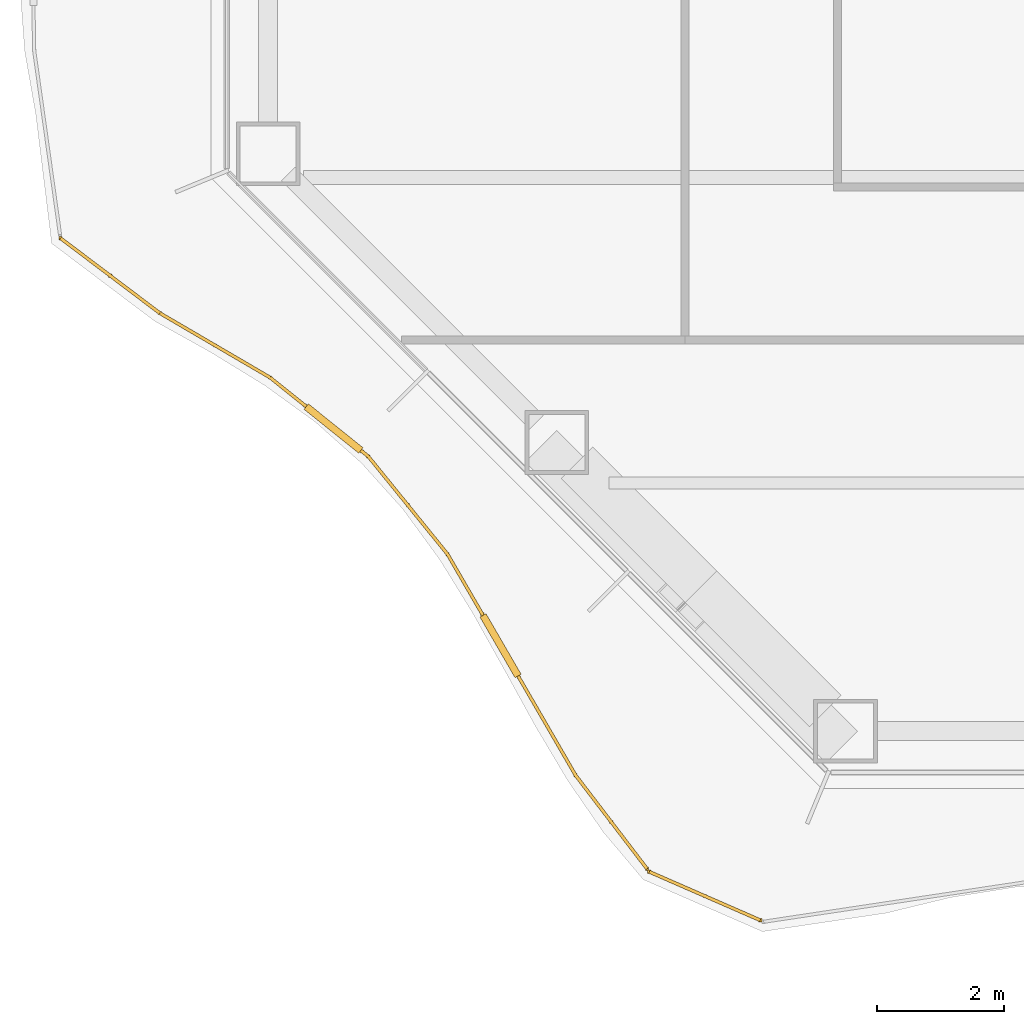
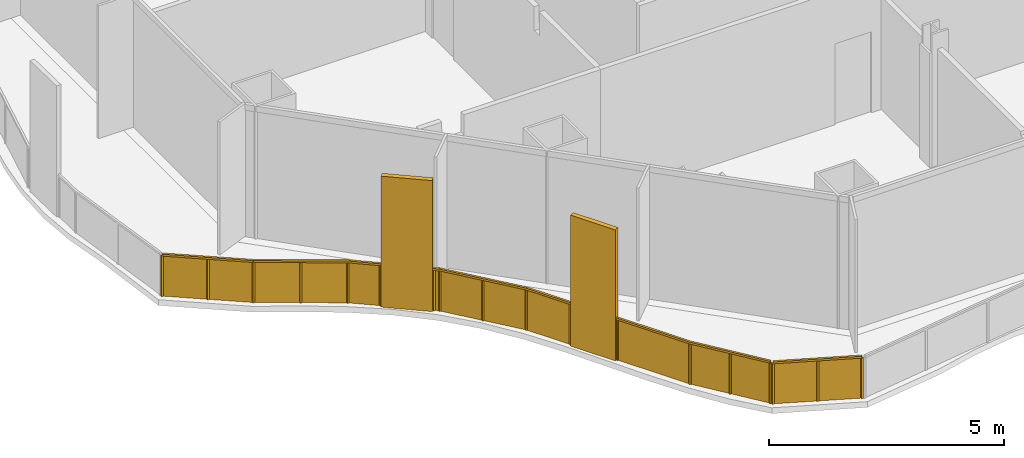
# One storey, part 15 of 21: 2 railings.
"""IFC4 building model written with IfcOpenShell, lengths in metres."""

from ifc_helpers import new_model, si_unit, direction, frame, origin, origin_2d, place, context, subcontext, project, spatial, polyline, rectangle, outline, extrude, material, type_object, element, save


model = new_model("IFC4")

# Units and contexts
model_context = context("Model", 3, precision=1e-05, world=origin(), true_north=direction((0.0, 1.0)))
body_context = subcontext(model_context, "Body", "Model", "MODEL_VIEW")
ifc_project = project(units=[si_unit("LENGTHUNIT", "METRE"), si_unit("AREAUNIT", "SQUARE_METRE"), si_unit("VOLUMEUNIT", "CUBIC_METRE"), si_unit("PLANEANGLEUNIT", "RADIAN"), si_unit("MASSUNIT", "GRAM", prefix="KILO")], contexts=[model_context])

# Site, building, storey
site_placement = place(None, origin())
site = spatial("IfcSite", under=ifc_project, at=site_placement, CompositionType="ELEMENT")
building_placement = place(site_placement, origin())
building = spatial("IfcBuilding", under=site, at=building_placement, Name="Cairn Pilgrim Tower", CompositionType="ELEMENT")
storey_placement = place(building_placement, frame((0.0, 0.0, 58.199951171875)))
storey = spatial("IfcBuildingStorey", under=building, at=storey_placement, Name="L12", CompositionType="ELEMENT", Elevation=58.199951171875)

# Railings
ifc_material_1 = material(Name="Bronze anodised aluminium rail and posts with laminated glass infill", Category="aluminium")
railing_type_1 = type_object("IfcRailingType", Name="BALCONY GUARD 1100", PredefinedType="GUARDRAIL", material=ifc_material_1)
railing_1_placement = place(storey_placement, frame((-21.90869140625, -25.310791015625, 0.0)))
element("IfcRailing", 1, at=railing_1_placement, inside=storey, type_object=railing_type_1, Name="Balcony guard BG-9", PredefinedType="GUARDRAIL", context=body_context, shape_type="SweptSolid", body=[
    extrude(rectangle(XDim=0.050048828125, YDim=0.050048828125, at=origin_2d()), frame((0.0, 0.0, 1.0751953125), z_axis=(0.916487156254, -0.400064110388, 0.0), x_axis=(0.400064110388, 0.916487156254, 0.0)), (0.0, 0.0, 1.0), 1.90087890625),
    extrude(rectangle(XDim=0.050048828125, YDim=0.050048828125, at=origin_2d()), origin(), (0.0, 0.0, 1.0), 1.050048828125),
    extrude(rectangle(XDim=0.050048828125, YDim=0.050048828125, at=origin_2d()), frame((0.87109375, -0.38037109375, 0.0)), (0.0, 0.0, 1.0), 1.050048828125),
    extrude(rectangle(XDim=0.050048828125, YDim=0.050048828125, at=origin_2d()), frame((1.7421875, -0.760498046875, 0.0)), (0.0, 0.0, 1.0), 1.050048828125),
    extrude(outline(polyline([(0.02490234375, 0.0), (0.925537109375, 0.0), (0.925537109375, 1.050048828125), (0.02490234375, 1.050048828125), (0.02490234375, 0.0)])), frame((0.00244140625, 0.00537109375, 0.0), z_axis=(-0.400064110388, -0.916487156254, 0.0), x_axis=(0.916487156254, -0.400064110388, 0.0)), (0.0, 0.0, 1.0), 0.011962890625),
    extrude(outline(polyline([(0.02490234375, 0.0), (0.925537109375, 0.0), (0.925537109375, 1.050048828125), (0.02490234375, 1.050048828125), (0.02490234375, 0.0)])), frame((0.87353515625, -0.374755859375, 0.0), z_axis=(-0.400064110388, -0.916487156254, 0.0), x_axis=(0.916487156254, -0.400064110388, 0.0)), (0.0, 0.0, 1.0), 0.011962890625),
])
ifc_material_2 = material(Name="Bronze anodised aluminium rail, posts and fin screens with laminated glass infill", Category="aluminium")
railing_type_2 = type_object("IfcRailingType", Name="BALCONY GUARD WITH FIN SCREENS", PredefinedType="GUARDRAIL", material=ifc_material_2)
railing_2_placement = place(storey_placement, frame((-31.16162109375, -15.353759765625, 0.0)))
element("IfcRailing", 2, at=railing_2_placement, inside=storey, type_object=railing_type_2, Name="Balcony guard BGF-8 with fin screens", PredefinedType="GUARDRAIL", context=body_context, shape_type="SweptSolid", body=[
    extrude(rectangle(XDim=0.050048828125, YDim=0.050048828125, at=origin_2d()), frame((0.0, 0.0, 1.0751953125), z_axis=(0.798272998618, -0.602295790852, 0.0), x_axis=(0.602295790852, 0.798272998618, 0.0)), (0.0, 0.0, 1.0), 1.95458984375),
    extrude(rectangle(XDim=0.050048828125, YDim=0.050048828125, at=origin_2d()), frame((1.560302734375, -1.17724609375, 1.0751953125), z_axis=(0.863443489761, -0.504445576835, 0.0), x_axis=(0.504445576835, 0.863443489761, 0.0)), (0.0, 0.0, 1.0), 2.007568359375),
    extrude(rectangle(XDim=1.10009765625, YDim=0.110107421875, at=origin_2d()), frame((4.2900390625, -2.990234375, 0.0), z_axis=(0.0, 0.0, 1.0), x_axis=(0.779699387019, -0.626154027283, 0.0)), (0.0, 0.0, 1.0), 3.39990234375),
    extrude(rectangle(XDim=0.050048828125, YDim=0.050048828125, at=origin_2d()), frame((3.293701171875, -2.18994140625, 1.0751953125), z_axis=(0.779699387019, -0.626154027283, 0.0), x_axis=(0.626154027283, 0.779699387019, 0.0)), (0.0, 0.0, 1.0), 0.72802734375),
    extrude(rectangle(XDim=0.050048828125, YDim=0.050048828125, at=origin_2d()), frame((4.718994140625, -3.33447265625, 1.0751953125), z_axis=(0.779699387019, -0.626154027283, 0.0), x_axis=(0.626154027283, 0.779699387019, 0.0)), (0.0, 0.0, 1.0), 0.150146484375),
    extrude(rectangle(XDim=0.050048828125, YDim=0.050048828125, at=origin_2d()), frame((4.8359375, -3.428466796875, 1.0751953125), z_axis=(0.629769752491, -0.77678186053, 0.0), x_axis=(0.77678186053, 0.629769752491, 0.0)), (0.0, 0.0, 1.0), 1.977783203125),
    extrude(rectangle(XDim=1.10009765625, YDim=0.110107421875, at=origin_2d()), frame((6.91455078125, -6.403076171875, 0.0), z_axis=(0.0, 0.0, 1.0), x_axis=(0.501223150103, -0.865318065107, 0.0)), (0.0, 0.0, 1.0), 3.39990234375),
    extrude(rectangle(XDim=0.050048828125, YDim=0.050048828125, at=origin_2d()), frame((6.08154296875, -4.96484375, 1.0751953125), z_axis=(0.501223150103, -0.865318065107, 0.0), x_axis=(0.865318065107, 0.501223150103, 0.0)), (0.0, 0.0, 1.0), 1.112060546875),
    extrude(rectangle(XDim=0.050048828125, YDim=0.050048828125, at=origin_2d()), frame((7.190185546875, -6.87890625, 1.0751953125), z_axis=(0.501223150103, -0.865318065107, 0.0), x_axis=(0.865318065107, 0.501223150103, 0.0)), (0.0, 0.0, 1.0), 1.804443359375),
    extrude(rectangle(XDim=0.050048828125, YDim=0.050048828125, at=origin_2d()), frame((8.0947265625, -8.4404296875, 1.0751953125), z_axis=(0.606930289674, -0.794755071375, 0.0), x_axis=(0.794755071375, 0.606930289674, 0.0)), (0.0, 0.0, 1.0), 1.848388671875),
    extrude(rectangle(XDim=0.050048828125, YDim=0.050048828125, at=origin_2d()), origin(), (0.0, 0.0, 1.0), 1.050048828125),
    extrude(rectangle(XDim=0.050048828125, YDim=0.050048828125, at=origin_2d()), frame((0.7802734375, -0.588623046875, 0.0)), (0.0, 0.0, 1.0), 1.050048828125),
    extrude(rectangle(XDim=0.050048828125, YDim=0.050048828125, at=origin_2d()), frame((1.560302734375, -1.17724609375, 0.0)), (0.0, 0.0, 1.0), 1.050048828125),
    extrude(rectangle(XDim=0.050048828125, YDim=0.050048828125, at=origin_2d()), frame((2.427001953125, -1.68359375, 0.0)), (0.0, 0.0, 1.0), 1.050048828125),
    extrude(rectangle(XDim=0.050048828125, YDim=0.050048828125, at=origin_2d()), frame((3.293701171875, -2.18994140625, 0.0)), (0.0, 0.0, 1.0), 1.050048828125),
    extrude(rectangle(XDim=0.050048828125, YDim=0.050048828125, at=origin_2d()), frame((3.841796875, -2.630126953125, 0.0)), (0.0, 0.0, 1.0), 1.050048828125),
    extrude(rectangle(XDim=0.050048828125, YDim=0.050048828125, at=origin_2d()), frame((4.738525390625, -3.35009765625, 0.0)), (0.0, 0.0, 1.0), 1.050048828125),
    extrude(rectangle(XDim=0.050048828125, YDim=0.050048828125, at=origin_2d()), frame((4.8359375, -3.428466796875, 0.0)), (0.0, 0.0, 1.0), 1.050048828125),
    extrude(rectangle(XDim=0.050048828125, YDim=0.050048828125, at=origin_2d()), frame((5.458740234375, -4.19677734375, 0.0)), (0.0, 0.0, 1.0), 1.050048828125),
    extrude(rectangle(XDim=0.050048828125, YDim=0.050048828125, at=origin_2d()), frame((6.08154296875, -4.96484375, 0.0)), (0.0, 0.0, 1.0), 1.050048828125),
    extrude(rectangle(XDim=0.050048828125, YDim=0.050048828125, at=origin_2d()), frame((6.62646484375, -5.905517578125, 0.0)), (0.0, 0.0, 1.0), 1.050048828125),
    extrude(rectangle(XDim=0.050048828125, YDim=0.050048828125, at=origin_2d()), frame((7.202880859375, -6.900634765625, 0.0)), (0.0, 0.0, 1.0), 1.050048828125),
    extrude(rectangle(XDim=0.050048828125, YDim=0.050048828125, at=origin_2d()), frame((8.0947265625, -8.4404296875, 0.0)), (0.0, 0.0, 1.0), 1.050048828125),
    extrude(rectangle(XDim=0.050048828125, YDim=0.050048828125, at=origin_2d()), frame((8.65576171875, -9.1748046875, 0.0)), (0.0, 0.0, 1.0), 1.050048828125),
    extrude(rectangle(XDim=0.050048828125, YDim=0.050048828125, at=origin_2d()), frame((9.216552734375, -9.909423828125, 0.0)), (0.0, 0.0, 1.0), 1.050048828125),
    extrude(outline(polyline([(0.02490234375, 0.0), (0.952392578125, 0.0), (0.952392578125, 1.050048828125), (0.02490234375, 1.050048828125), (0.02490234375, 0.0)])), frame((0.003662109375, 0.0048828125, 0.0), z_axis=(-0.602295790852, -0.798272998618, 0.0), x_axis=(0.798272998618, -0.602295790852, 0.0)), (0.0, 0.0, 1.0), 0.011962890625),
    extrude(outline(polyline([(0.02490234375, 0.0), (0.952392578125, 0.0), (0.952392578125, 1.050048828125), (0.02490234375, 1.050048828125), (0.02490234375, 0.0)])), frame((0.78369140625, -0.583740234375, 0.0), z_axis=(-0.602295790852, -0.798272998618, 0.0), x_axis=(0.798272998618, -0.602295790852, 0.0)), (0.0, 0.0, 1.0), 0.011962890625),
    extrude(outline(polyline([(0.02490234375, 0.0), (0.978759765625, 0.0), (0.978759765625, 1.050048828125), (0.02490234375, 1.050048828125), (0.02490234375, 0.0)])), frame((1.563232421875, -1.172119140625, 0.0), z_axis=(-0.504445576835, -0.863443489761, 0.0), x_axis=(0.863443489761, -0.504445576835, 0.0)), (0.0, 0.0, 1.0), 0.011962890625),
    extrude(outline(polyline([(0.02490234375, 0.0), (0.978759765625, 0.0), (0.978759765625, 1.050048828125), (0.02490234375, 1.050048828125), (0.02490234375, 0.0)])), frame((2.429931640625, -1.678466796875, 0.0), z_axis=(-0.504445576835, -0.863443489761, 0.0), x_axis=(0.863443489761, -0.504445576835, 0.0)), (0.0, 0.0, 1.0), 0.011962890625),
    extrude(outline(polyline([(0.02490234375, 0.0), (0.677978515625, 0.0), (0.677978515625, 1.050048828125), (0.02490234375, 1.050048828125), (0.02490234375, 0.0)])), frame((3.29736328125, -2.185302734375, 0.0), z_axis=(-0.626154027283, -0.779699387019, 0.0), x_axis=(0.779699387019, -0.626154027283, 0.0)), (0.0, 0.0, 1.0), 0.011962890625),
    extrude(outline(polyline([(0.02490234375, 0.0), (0.10009765625, 0.0), (0.10009765625, 1.050048828125), (0.02490234375, 1.050048828125), (0.02490234375, 0.0)])), frame((4.7421875, -3.345458984375, 0.0), z_axis=(-0.626154027283, -0.779699387019, 0.0), x_axis=(0.779699387019, -0.626154027283, 0.0)), (0.0, 0.0, 1.0), 0.011962890625),
    extrude(outline(polyline([(0.02490234375, 0.0), (0.9638671875, 0.0), (0.9638671875, 1.050048828125), (0.02490234375, 1.050048828125), (0.02490234375, 0.0)])), frame((4.840576171875, -3.4248046875, 0.0), z_axis=(-0.77678186053, -0.629769752491, 0.0), x_axis=(0.629769752491, -0.77678186053, 0.0)), (0.0, 0.0, 1.0), 0.011962890625),
    extrude(outline(polyline([(0.02490234375, 0.0), (0.9638671875, 0.0), (0.9638671875, 1.050048828125), (0.02490234375, 1.050048828125), (0.02490234375, 0.0)])), frame((5.46337890625, -4.19287109375, 0.0), z_axis=(-0.77678186053, -0.629769752491, 0.0), x_axis=(0.629769752491, -0.77678186053, 0.0)), (0.0, 0.0, 1.0), 0.011962890625),
    extrude(outline(polyline([(0.02490234375, 0.0), (1.06201171875, 0.0), (1.06201171875, 1.050048828125), (0.02490234375, 1.050048828125), (0.02490234375, 0.0)])), frame((6.086669921875, -4.9619140625, 0.0), z_axis=(-0.865318065107, -0.501223150103, 0.0), x_axis=(0.501223150103, -0.865318065107, 0.0)), (0.0, 0.0, 1.0), 0.011962890625),
    extrude(outline(polyline([(0.02490234375, 0.0), (1.75439453125, 0.0), (1.75439453125, 1.050048828125), (0.02490234375, 1.050048828125), (0.02490234375, 0.0)])), frame((7.2080078125, -6.8974609375, 0.0), z_axis=(-0.865318065107, -0.501223150103, 0.0), x_axis=(0.501223150103, -0.865318065107, 0.0)), (0.0, 0.0, 1.0), 0.011962890625),
    extrude(outline(polyline([(0.02490234375, 0.0), (0.899169921875, 0.0), (0.899169921875, 1.050048828125), (0.02490234375, 1.050048828125), (0.02490234375, 0.0)])), frame((8.099365234375, -8.436767578125, 0.0), z_axis=(-0.794755071375, -0.606930289674, 0.0), x_axis=(0.606930289674, -0.794755071375, 0.0)), (0.0, 0.0, 1.0), 0.011962890625),
    extrude(outline(polyline([(0.02490234375, 0.0), (0.899169921875, 0.0), (0.899169921875, 1.050048828125), (0.02490234375, 1.050048828125), (0.02490234375, 0.0)])), frame((8.660400390625, -9.17138671875, 0.0), z_axis=(-0.794755071375, -0.606930289674, 0.0), x_axis=(0.606930289674, -0.794755071375, 0.0)), (0.0, 0.0, 1.0), 0.011962890625),
])

save(model, "model.ifc")
